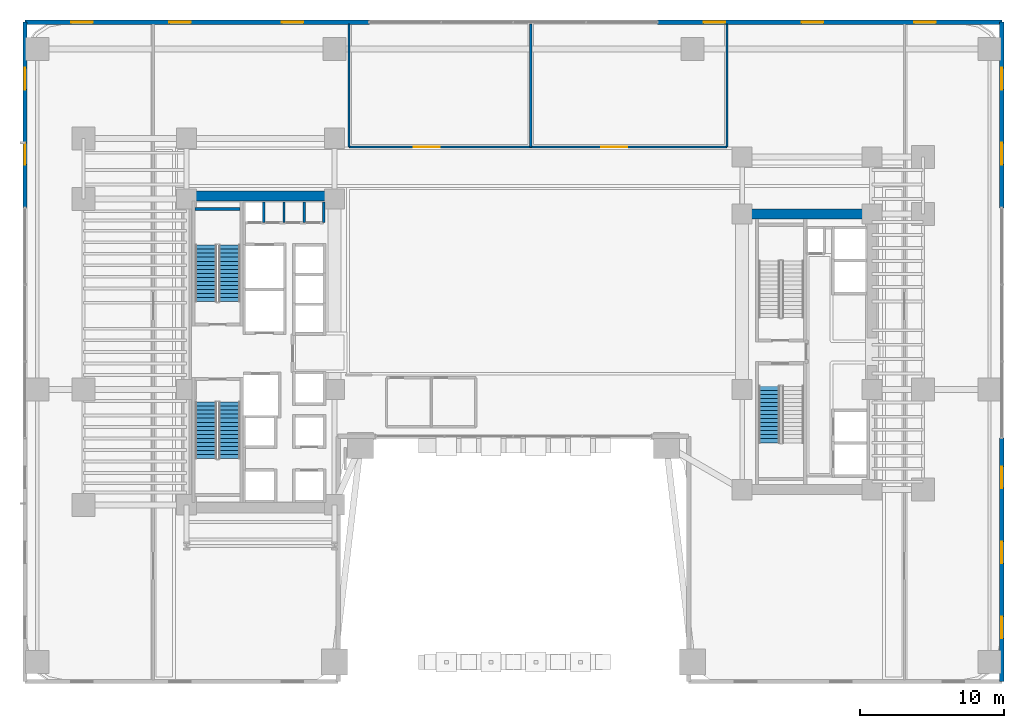
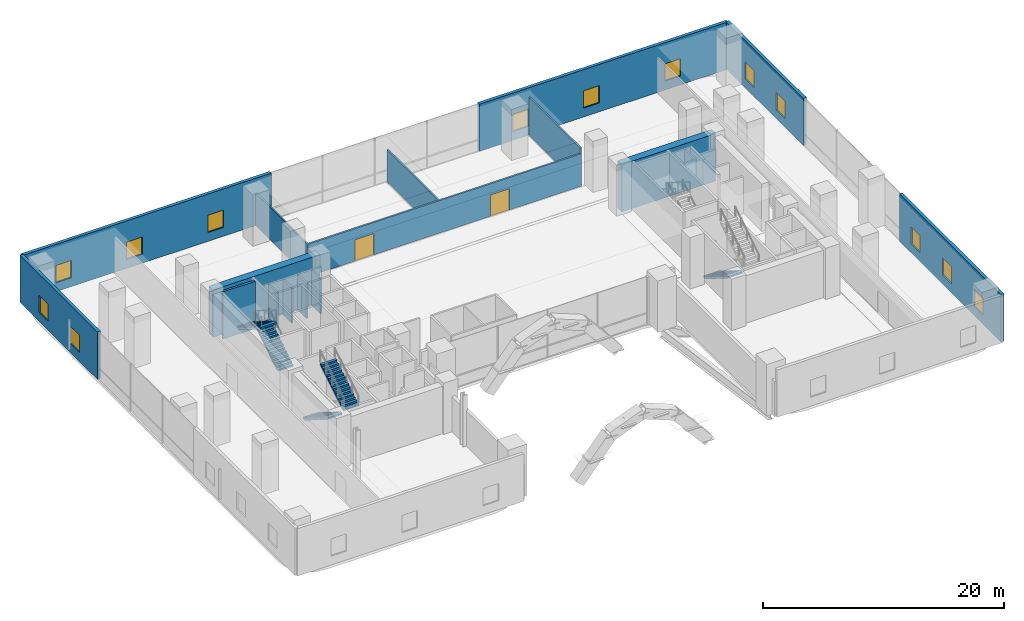
# One storey, part 29 of 39: 16 walls, 13 windows, 5 stair flights, 2 doors, 15 openings, 3 elements without a shape of their own.
"""IFC4 building model written with IfcOpenShell, lengths in metres."""

from ifc_helpers import new_model, si_unit, direction, frame, frame_2d, origin, place, context, subcontext, project, spatial, polyline, rectangle, outline, extrude, material, layer, layer_set, type_object, element, fill, aggregate, save


model = new_model("IFC4")

# Units and contexts
model_context = context("Model", 3, precision=1e-05, world=origin(), true_north=direction((0.0, 1.0)))
body_context = subcontext(model_context, "Body", "Model", "MODEL_VIEW")
ifc_project = project(units=[si_unit("LENGTHUNIT", "METRE"), si_unit("AREAUNIT", "SQUARE_METRE"), si_unit("VOLUMEUNIT", "CUBIC_METRE"), si_unit("PLANEANGLEUNIT", "RADIAN"), si_unit("MASSUNIT", "GRAM", prefix="KILO")], contexts=[model_context])

# Site, building, storey
site_placement = place(None, origin())
site = spatial("IfcSite", under=ifc_project, at=site_placement, CompositionType="ELEMENT")
building_placement = place(site_placement, origin())
building = spatial("IfcBuilding", under=site, at=building_placement, Name="Valdorenza Pilgrim Sanctuary Tower", CompositionType="ELEMENT")
storey_placement = place(building_placement, frame((0.0, 0.0, 15.60009765625)))
storey = spatial("IfcBuildingStorey", under=building, at=storey_placement, Name="L03", CompositionType="ELEMENT", Elevation=15.60009765625)

# Walls
ifc_material_1 = material(Name="Acoustic twin-stud gypsum partition", Category="gypsum")
ifc_layer_1 = layer(ifc_material_1, 0.159912109375, Name="Acoustic twin-stud gypsum partition")
ifc_layer_set_1 = layer_set([ifc_layer_1], Name="Acoustic twin-stud gypsum partition")
wall_type_1 = type_object("IfcWallType", Name="WAL-COR-160", PredefinedType="PARTITIONING", material=ifc_layer_set_1)
for number, where, z_axis, x_axis, name in (
    (1, (-13.14990234375, 8.949951171875, 0.0), (0.0, 0.0, 1.0), (0.0, 1.0, 0.0), "L03 Core A North Service East Wall"),
    (2, (-17.300048828125, 8.949951171875, 0.0), (0.0, 0.0, 1.0), (0.0, 1.0, 0.0), "L03 Core Electrical Riser Wall"),
    (3, (-15.89990234375, 8.949951171875, 0.0), (0.0, 0.0, 1.0), (0.0, 1.0, 0.0), "L03 Core A Split D1"),
    (4, (-14.5, 8.949951171875, 0.0), (0.0, 0.0, 1.0), (0.0, 1.0, 0.0), "L03 Core A Split D2"),
):
    element("IfcWall", number, at=place(storey_placement, frame(where, z_axis=z_axis, x_axis=x_axis)), inside=storey, type_object=wall_type_1, Name=name, PredefinedType="PARTITIONING", context=body_context, shape_type="SweptSolid", body=[
        extrude(rectangle(XDim=1.429931640625, YDim=0.159912109375, at=frame_2d((0.71484375, 0.0))), origin(), (0.0, 0.0, 1.0), 3.5849609375),
    ])

# Wall, openings, doors
wall_1_placement = place(storey_placement, frame((-11.39990234375, 14.199951171875, 0.0), z_axis=(0.0, 0.0, 1.0), x_axis=(1.0, 0.0, 0.0)))
wall_1 = element("IfcWall", 5, at=wall_1_placement, inside=storey, type_object=wall_type_1, Name="L03 L03 North Hall Wall", PredefinedType="PARTITIONING", context=body_context, shape_type="SweptSolid", body=[
    extrude(rectangle(XDim=26.199951171875, YDim=0.159912109375, at=frame_2d((13.10009765625, 0.0))), origin(), (0.0, 0.0, 1.0), 3.284912109375),
])
opening_1_placement = place(wall_1_placement, frame((4.5, 0.0, 0.0)))
opening_1 = element("IfcOpeningElement", 6, at=opening_1_placement, cuts=wall_1, Name="Opening DR-HL1", PredefinedType="OPENING", context=body_context, shape_type="SweptSolid", body=[
    extrude(rectangle(XDim=1.800048828125, YDim=2.14990234375, at=frame_2d((0.89990234375, 1.074951171875))), frame((0.0, 0.0947265625, 0.0), z_axis=(0.0, -1.0, 0.0), x_axis=(1.0, 0.0, 0.0)), (0.0, 0.0, 1.0), 0.189697265625),
])
opening_2_placement = place(wall_1_placement, frame((17.5, 0.0, 0.0)))
opening_2 = element("IfcOpeningElement", 7, at=opening_2_placement, cuts=wall_1, Name="Opening DR-HL1", PredefinedType="OPENING", context=body_context, shape_type="SweptSolid", body=[
    extrude(rectangle(XDim=1.800048828125, YDim=2.14990234375, at=frame_2d((0.89990234375, 1.074951171875))), frame((0.0, 0.0947265625, 0.0), z_axis=(0.0, -1.0, 0.0), x_axis=(1.0, 0.0, 0.0)), (0.0, 0.0, 1.0), 0.189697265625),
])
ifc_material_2 = material(Name="Acoustic oak and vision-glass double door", Category="glass")
door_type = type_object("IfcDoorType", Name="DR-HALL-1800", OperationType="NOTDEFINED", PredefinedType="DOOR", material=ifc_material_2)
door_1_placement = place(opening_1_placement, frame((1.800048828125, 0.0, 0.0), z_axis=(0.0, 0.0, 1.0), x_axis=(-1.0, 0.0, 0.0)))
door_1 = element("IfcDoor", 8, at=door_1_placement, inside=storey, type_object=door_type, Name="L03 Sacred Tapestry Archive Double Door", OperationType="DOUBLE_DOOR_SINGLE_SWING", OverallHeight=2.14990234375, OverallWidth=1.800048828125, PredefinedType="DOOR", context=body_context, shape_type="SweptSolid", body=[
    extrude(rectangle(XDim=1.800048828125, YDim=2.14990234375, at=frame_2d((0.89990234375, 1.074951171875))), frame((0.0, 0.02490234375, 0.0), z_axis=(0.0, -1.0, 0.0), x_axis=(1.0, 0.0, 0.0)), (0.0, 0.0, 1.0), 0.050048828125),
])
fill(opening_1, door_1)
door_2_placement = place(opening_2_placement, origin())
door_2 = element("IfcDoor", 9, at=door_2_placement, inside=storey, type_object=door_type, Name="L03 Curator Research Office Double Door", OperationType="DOUBLE_DOOR_SINGLE_SWING", OverallHeight=2.14990234375, OverallWidth=1.800048828125, PredefinedType="DOOR", context=body_context, shape_type="SweptSolid", body=[
    extrude(rectangle(XDim=1.800048828125, YDim=2.14990234375, at=frame_2d((0.89990234375, 1.074951171875))), frame((0.0, 0.02490234375, 0.0), z_axis=(0.0, -1.0, 0.0), x_axis=(1.0, 0.0, 0.0)), (0.0, 0.0, 1.0), 0.050048828125),
])
fill(opening_2, door_2)

# Walls
wall_2_placement = place(storey_placement, frame((-11.39990234375, 14.199951171875, 0.0), z_axis=(0.0, 0.0, 1.0), x_axis=(0.0, 1.0, 0.0)))
element("IfcWall", 10, at=wall_2_placement, inside=storey, type_object=wall_type_1, Name="L03 L03 North Hall West Wall", PredefinedType="PARTITIONING", context=body_context, shape_type="SweptSolid", body=[
    extrude(rectangle(XDim=8.5400390625, YDim=0.159912109375, at=frame_2d((4.27001953125, 0.0))), origin(), (0.0, 0.0, 1.0), 3.284912109375),
])
wall_3_placement = place(storey_placement, frame((14.800048828125, 14.199951171875, 0.0), z_axis=(0.0, 0.0, 1.0), x_axis=(0.0, 1.0, 0.0)))
element("IfcWall", 11, at=wall_3_placement, inside=storey, type_object=wall_type_1, Name="L03 L03 North Hall East Wall", PredefinedType="PARTITIONING", context=body_context, shape_type="SweptSolid", body=[
    extrude(rectangle(XDim=8.5400390625, YDim=0.159912109375, at=frame_2d((4.27001953125, 0.0))), origin(), (0.0, 0.0, 1.0), 3.8369140625),
])
ifc_material_3 = material(Name="Concrete C60/75", Category="concrete")
ifc_layer_2 = layer(ifc_material_3, 0.699951171875, Name="Concrete C60/75")
ifc_layer_set_2 = layer_set([ifc_layer_2], Name="Concrete C60/75")
wall_type_2 = type_object("IfcWallType", Name="WAL-COR-700", PredefinedType="SHEAR", material=ifc_layer_set_2)
wall_4_placement = place(storey_placement, frame((-22.64990234375, 10.800048828125, 0.0), z_axis=(0.0, 0.0, 1.0), x_axis=(1.0, 0.0, 0.0)))
element("IfcWall", 12, at=wall_4_placement, inside=storey, type_object=wall_type_2, Name="L03 Split Core A Shear Wall N", PredefinedType="SHEAR", context=body_context, shape_type="SweptSolid", body=[
    extrude(rectangle(XDim=10.25, YDim=0.699951171875, at=frame_2d((5.125, 0.0))), origin(), (0.0, 0.0, 1.0), 4.7998046875),
])
wall_5_placement = place(storey_placement, frame((15.85009765625, 9.550048828125, 0.0), z_axis=(0.0, 0.0, 1.0), x_axis=(1.0, 0.0, 0.0)))
element("IfcWall", 13, at=wall_5_placement, inside=storey, type_object=wall_type_2, Name="L03 Split Core B Shear Wall N", PredefinedType="SHEAR", context=body_context, shape_type="SweptSolid", body=[
    extrude(rectangle(XDim=9.0, YDim=0.699951171875, at=frame_2d((4.5, 0.0))), origin(), (0.0, 0.0, 1.0), 4.7998046875),
])

# Wall, openings, windows
ifc_material_4 = material(Name="Honed travertine limestone", Category="masonry")
ifc_layer_3 = layer(ifc_material_4, 0.300048828125, Name="Honed travertine limestone")
ifc_layer_set_3 = layer_set([ifc_layer_3], Name="Honed travertine limestone")
wall_type_3 = type_object("IfcWallType", Name="WAL-EXT-300", PredefinedType="SOLIDWALL", material=ifc_layer_set_3)
wall_6_placement = place(storey_placement, frame((-33.85009765625, 9.97998046875, 0.0), z_axis=(0.0, 0.0, 1.0), x_axis=(0.0, 1.0, 0.0)))
wall_6 = element("IfcWall", 14, at=wall_6_placement, inside=storey, type_object=wall_type_3, Name="L03 Podium Honed Travertine Stone Wall W-N", PredefinedType="SOLIDWALL", context=body_context, shape_type="SweptSolid", body=[
    extrude(rectangle(XDim=12.8701171875, YDim=0.300048828125, at=frame_2d((6.43505859375, 0.0))), origin(), (0.0, 0.0, 1.0), 4.7998046875),
])
opening_3_placement = place(wall_6_placement, frame((3.0, 0.0, 0.89990234375)))
opening_3 = element("IfcOpeningElement", 15, at=opening_3_placement, cuts=wall_6, Name="Opening WN-VS1", PredefinedType="OPENING", context=body_context, shape_type="SweptSolid", body=[
    extrude(rectangle(XDim=1.5, YDim=1.75, at=frame_2d((0.75, 0.875))), frame((0.0, 0.1650390625, 0.0), z_axis=(0.0, -1.0, 0.0), x_axis=(1.0, 0.0, 0.0)), (0.0, 0.0, 1.0), 0.329833984375),
])
opening_4_placement = place(wall_6_placement, frame((8.199951171875, 0.0, 0.89990234375)))
opening_4 = element("IfcOpeningElement", 16, at=opening_4_placement, cuts=wall_6, Name="Opening WN-VS1", PredefinedType="OPENING", context=body_context, shape_type="SweptSolid", body=[
    extrude(rectangle(XDim=1.5, YDim=1.75, at=frame_2d((0.75, 0.875))), frame((0.0, 0.1650390625, 0.0), z_axis=(0.0, -1.0, 0.0), x_axis=(1.0, 0.0, 0.0)), (0.0, 0.0, 1.0), 0.329833984375),
])
ifc_material_5 = material(Name="Ceramic-fritted low-E IGU glazing", Category="glass")
window_type = type_object("IfcWindowType", Name="WIN-VIS-1500", PartitioningType="SINGLE_PANEL", PredefinedType="WINDOW", material=ifc_material_5)
window_1_placement = place(opening_3_placement, origin())
window_1 = element("IfcWindow", 17, at=window_1_placement, inside=storey, type_object=window_type, Name="L03 Podium Stone Vision Window W-N-1", OverallHeight=1.75, OverallWidth=1.5, PartitioningType="SINGLE_PANEL", PredefinedType="WINDOW", context=body_context, shape_type="SweptSolid", body=[
    extrude(rectangle(XDim=1.5, YDim=1.75, at=frame_2d((0.75, 0.875))), frame((0.0, 0.030029296875, 0.0), z_axis=(0.0, -1.0, 0.0), x_axis=(1.0, 0.0, 0.0)), (0.0, 0.0, 1.0), 0.06005859375),
])
fill(opening_3, window_1)
window_2_placement = place(opening_4_placement, origin())
window_2 = element("IfcWindow", 18, at=window_2_placement, inside=storey, type_object=window_type, Name="L03 Podium Stone Vision Window W-N-2", OverallHeight=1.75, OverallWidth=1.5, PartitioningType="SINGLE_PANEL", PredefinedType="WINDOW", context=body_context, shape_type="SweptSolid", body=[
    extrude(rectangle(XDim=1.5, YDim=1.75, at=frame_2d((0.75, 0.875))), frame((0.0, 0.030029296875, 0.0), z_axis=(0.0, -1.0, 0.0), x_axis=(1.0, 0.0, 0.0)), (0.0, 0.0, 1.0), 0.06005859375),
])
fill(opening_4, window_2)

wall_7_placement = place(storey_placement, frame((33.85009765625, -22.85009765625, 0.0), z_axis=(0.0, 0.0, 1.0), x_axis=(0.0, 1.0, 0.0)))
wall_7 = element("IfcWall", 19, at=wall_7_placement, inside=storey, type_object=wall_type_3, Name="L03 Podium Honed Travertine Stone Wall E-S", PredefinedType="SOLIDWALL", context=body_context, shape_type="SweptSolid", body=[
    extrude(rectangle(XDim=16.8701171875, YDim=0.300048828125, at=frame_2d((8.43505859375, 0.0))), origin(), (0.0, 0.0, 1.0), 4.7998046875),
])
opening_5_placement = place(wall_7_placement, frame((3.0, 0.0, 0.89990234375)))
opening_5 = element("IfcOpeningElement", 20, at=opening_5_placement, cuts=wall_7, Name="Opening WN-VS1", PredefinedType="OPENING", context=body_context, shape_type="SweptSolid", body=[
    extrude(rectangle(XDim=1.5, YDim=1.75, at=frame_2d((0.75, 0.875))), frame((0.0, 0.1650390625, 0.0), z_axis=(0.0, -1.0, 0.0), x_axis=(1.0, 0.0, 0.0)), (0.0, 0.0, 1.0), 0.329833984375),
])
opening_6_placement = place(wall_7_placement, frame((8.199951171875, 0.0, 0.89990234375)))
opening_6 = element("IfcOpeningElement", 21, at=opening_6_placement, cuts=wall_7, Name="Opening WN-VS1", PredefinedType="OPENING", context=body_context, shape_type="SweptSolid", body=[
    extrude(rectangle(XDim=1.5, YDim=1.75, at=frame_2d((0.75, 0.875))), frame((0.0, 0.1650390625, 0.0), z_axis=(0.0, -1.0, 0.0), x_axis=(1.0, 0.0, 0.0)), (0.0, 0.0, 1.0), 0.329833984375),
])
opening_7_placement = place(wall_7_placement, frame((13.39990234375, 0.0, 0.89990234375)))
opening_7 = element("IfcOpeningElement", 22, at=opening_7_placement, cuts=wall_7, Name="Opening WN-VS1", PredefinedType="OPENING", context=body_context, shape_type="SweptSolid", body=[
    extrude(rectangle(XDim=1.5, YDim=1.75, at=frame_2d((0.75, 0.875))), frame((0.0, 0.1650390625, 0.0), z_axis=(0.0, -1.0, 0.0), x_axis=(1.0, 0.0, 0.0)), (0.0, 0.0, 1.0), 0.329833984375),
])
window_3_placement = place(opening_5_placement, origin())
window_3 = element("IfcWindow", 23, at=window_3_placement, inside=storey, type_object=window_type, Name="L03 Podium Stone Vision Window E-S-1", OverallHeight=1.75, OverallWidth=1.5, PartitioningType="SINGLE_PANEL", PredefinedType="WINDOW", context=body_context, shape_type="SweptSolid", body=[
    extrude(rectangle(XDim=1.5, YDim=1.75, at=frame_2d((0.75, 0.875))), frame((0.0, 0.030029296875, 0.0), z_axis=(0.0, -1.0, 0.0), x_axis=(1.0, 0.0, 0.0)), (0.0, 0.0, 1.0), 0.06005859375),
])
fill(opening_5, window_3)
window_4_placement = place(opening_6_placement, origin())
window_4 = element("IfcWindow", 24, at=window_4_placement, inside=storey, type_object=window_type, Name="L03 Podium Stone Vision Window E-S-2", OverallHeight=1.75, OverallWidth=1.5, PartitioningType="SINGLE_PANEL", PredefinedType="WINDOW", context=body_context, shape_type="SweptSolid", body=[
    extrude(rectangle(XDim=1.5, YDim=1.75, at=frame_2d((0.75, 0.875))), frame((0.0, 0.030029296875, 0.0), z_axis=(0.0, -1.0, 0.0), x_axis=(1.0, 0.0, 0.0)), (0.0, 0.0, 1.0), 0.06005859375),
])
fill(opening_6, window_4)
window_5_placement = place(opening_7_placement, origin())
window_5 = element("IfcWindow", 25, at=window_5_placement, inside=storey, type_object=window_type, Name="L03 Podium Stone Vision Window E-S-3", OverallHeight=1.75, OverallWidth=1.5, PartitioningType="SINGLE_PANEL", PredefinedType="WINDOW", context=body_context, shape_type="SweptSolid", body=[
    extrude(rectangle(XDim=1.5, YDim=1.75, at=frame_2d((0.75, 0.875))), frame((0.0, 0.030029296875, 0.0), z_axis=(0.0, -1.0, 0.0), x_axis=(1.0, 0.0, 0.0)), (0.0, 0.0, 1.0), 0.06005859375),
])
fill(opening_7, window_5)

wall_8_placement = place(storey_placement, frame((33.85009765625, 9.97998046875, 0.0), z_axis=(0.0, 0.0, 1.0), x_axis=(0.0, 1.0, 0.0)))
wall_8 = element("IfcWall", 26, at=wall_8_placement, inside=storey, type_object=wall_type_3, Name="L03 Podium Honed Travertine Stone Wall E-N", PredefinedType="SOLIDWALL", context=body_context, shape_type="SweptSolid", body=[
    extrude(rectangle(XDim=12.8701171875, YDim=0.300048828125, at=frame_2d((6.43505859375, 0.0))), origin(), (0.0, 0.0, 1.0), 4.7998046875),
])
opening_8_placement = place(wall_8_placement, frame((3.0, 0.0, 0.89990234375)))
opening_8 = element("IfcOpeningElement", 27, at=opening_8_placement, cuts=wall_8, Name="Opening WN-VS1", PredefinedType="OPENING", context=body_context, shape_type="SweptSolid", body=[
    extrude(rectangle(XDim=1.5, YDim=1.75, at=frame_2d((0.75, 0.875))), frame((0.0, 0.1650390625, 0.0), z_axis=(0.0, -1.0, 0.0), x_axis=(1.0, 0.0, 0.0)), (0.0, 0.0, 1.0), 0.329833984375),
])
opening_9_placement = place(wall_8_placement, frame((8.199951171875, 0.0, 0.89990234375)))
opening_9 = element("IfcOpeningElement", 28, at=opening_9_placement, cuts=wall_8, Name="Opening WN-VS1", PredefinedType="OPENING", context=body_context, shape_type="SweptSolid", body=[
    extrude(rectangle(XDim=1.5, YDim=1.75, at=frame_2d((0.75, 0.875))), frame((0.0, 0.1650390625, 0.0), z_axis=(0.0, -1.0, 0.0), x_axis=(1.0, 0.0, 0.0)), (0.0, 0.0, 1.0), 0.329833984375),
])
window_6_placement = place(opening_8_placement, origin())
window_6 = element("IfcWindow", 29, at=window_6_placement, inside=storey, type_object=window_type, Name="L03 Podium Stone Vision Window E-N-1", OverallHeight=1.75, OverallWidth=1.5, PartitioningType="SINGLE_PANEL", PredefinedType="WINDOW", context=body_context, shape_type="SweptSolid", body=[
    extrude(rectangle(XDim=1.5, YDim=1.75, at=frame_2d((0.75, 0.875))), frame((0.0, 0.030029296875, 0.0), z_axis=(0.0, -1.0, 0.0), x_axis=(1.0, 0.0, 0.0)), (0.0, 0.0, 1.0), 0.06005859375),
])
fill(opening_8, window_6)
window_7_placement = place(opening_9_placement, origin())
window_7 = element("IfcWindow", 30, at=window_7_placement, inside=storey, type_object=window_type, Name="L03 Podium Stone Vision Window E-N-2", OverallHeight=1.75, OverallWidth=1.5, PartitioningType="SINGLE_PANEL", PredefinedType="WINDOW", context=body_context, shape_type="SweptSolid", body=[
    extrude(rectangle(XDim=1.5, YDim=1.75, at=frame_2d((0.75, 0.875))), frame((0.0, 0.030029296875, 0.0), z_axis=(0.0, -1.0, 0.0), x_axis=(1.0, 0.0, 0.0)), (0.0, 0.0, 1.0), 0.06005859375),
])
fill(opening_9, window_7)

wall_9_placement = place(storey_placement, frame((-33.85009765625, 22.85009765625, 0.0), z_axis=(0.0, 0.0, 1.0), x_axis=(1.0, 0.0, 0.0)))
wall_9 = element("IfcWall", 31, at=wall_9_placement, inside=storey, type_object=wall_type_3, Name="L03 Podium Honed Travertine Stone Wall N-W", PredefinedType="SOLIDWALL", context=body_context, shape_type="SweptSolid", body=[
    extrude(rectangle(XDim=23.8701171875, YDim=0.300048828125, at=frame_2d((11.93505859375, 0.0))), origin(), (0.0, 0.0, 1.0), 4.7998046875),
])
opening_10_placement = place(wall_9_placement, frame((3.199951171875, 0.0, 0.89990234375)))
opening_10 = element("IfcOpeningElement", 32, at=opening_10_placement, cuts=wall_9, Name="Opening WN-VS1", PredefinedType="OPENING", context=body_context, shape_type="SweptSolid", body=[
    extrude(rectangle(XDim=1.5, YDim=1.75, at=frame_2d((0.75, 0.875))), frame((0.0, 0.1650390625, 0.0), z_axis=(0.0, -1.0, 0.0), x_axis=(1.0, 0.0, 0.0)), (0.0, 0.0, 1.0), 0.329833984375),
])
opening_11_placement = place(wall_9_placement, frame((10.0, 0.0, 0.89990234375)))
opening_11 = element("IfcOpeningElement", 33, at=opening_11_placement, cuts=wall_9, Name="Opening WN-VS1", PredefinedType="OPENING", context=body_context, shape_type="SweptSolid", body=[
    extrude(rectangle(XDim=1.5, YDim=1.75, at=frame_2d((0.75, 0.875))), frame((0.0, 0.1650390625, 0.0), z_axis=(0.0, -1.0, 0.0), x_axis=(1.0, 0.0, 0.0)), (0.0, 0.0, 1.0), 0.329833984375),
])
opening_12_placement = place(wall_9_placement, frame((17.800048828125, 0.0, 0.89990234375)))
opening_12 = element("IfcOpeningElement", 34, at=opening_12_placement, cuts=wall_9, Name="Opening WN-VS1", PredefinedType="OPENING", context=body_context, shape_type="SweptSolid", body=[
    extrude(rectangle(XDim=1.5, YDim=1.75, at=frame_2d((0.75, 0.875))), frame((0.0, 0.1650390625, 0.0), z_axis=(0.0, -1.0, 0.0), x_axis=(1.0, 0.0, 0.0)), (0.0, 0.0, 1.0), 0.329833984375),
])
window_8_placement = place(opening_10_placement, origin())
window_8 = element("IfcWindow", 35, at=window_8_placement, inside=storey, type_object=window_type, Name="L03 Podium Stone Vision Window N-W-1", OverallHeight=1.75, OverallWidth=1.5, PartitioningType="SINGLE_PANEL", PredefinedType="WINDOW", context=body_context, shape_type="SweptSolid", body=[
    extrude(rectangle(XDim=1.5, YDim=1.75, at=frame_2d((0.75, 0.875))), frame((0.0, 0.030029296875, 0.0), z_axis=(0.0, -1.0, 0.0), x_axis=(1.0, 0.0, 0.0)), (0.0, 0.0, 1.0), 0.06005859375),
])
fill(opening_10, window_8)
window_9_placement = place(opening_11_placement, origin())
window_9 = element("IfcWindow", 36, at=window_9_placement, inside=storey, type_object=window_type, Name="L03 Podium Stone Vision Window N-W-2", OverallHeight=1.75, OverallWidth=1.5, PartitioningType="SINGLE_PANEL", PredefinedType="WINDOW", context=body_context, shape_type="SweptSolid", body=[
    extrude(rectangle(XDim=1.5, YDim=1.75, at=frame_2d((0.75, 0.875))), frame((0.0, 0.030029296875, 0.0), z_axis=(0.0, -1.0, 0.0), x_axis=(1.0, 0.0, 0.0)), (0.0, 0.0, 1.0), 0.06005859375),
])
fill(opening_11, window_9)
window_10_placement = place(opening_12_placement, origin())
window_10 = element("IfcWindow", 37, at=window_10_placement, inside=storey, type_object=window_type, Name="L03 Podium Stone Vision Window N-W-3", OverallHeight=1.75, OverallWidth=1.5, PartitioningType="SINGLE_PANEL", PredefinedType="WINDOW", context=body_context, shape_type="SweptSolid", body=[
    extrude(rectangle(XDim=1.5, YDim=1.75, at=frame_2d((0.75, 0.875))), frame((0.0, 0.030029296875, 0.0), z_axis=(0.0, -1.0, 0.0), x_axis=(1.0, 0.0, 0.0)), (0.0, 0.0, 1.0), 0.06005859375),
])
fill(opening_12, window_10)

wall_10_placement = place(storey_placement, frame((9.97998046875, 22.85009765625, 0.0), z_axis=(0.0, 0.0, 1.0), x_axis=(1.0, 0.0, 0.0)))
wall_10 = element("IfcWall", 38, at=wall_10_placement, inside=storey, type_object=wall_type_3, Name="L03 Podium Honed Travertine Stone Wall N-E", PredefinedType="SOLIDWALL", context=body_context, shape_type="SweptSolid", body=[
    extrude(rectangle(XDim=23.8701171875, YDim=0.300048828125, at=frame_2d((11.93505859375, 0.0))), origin(), (0.0, 0.0, 1.0), 4.7998046875),
])
opening_13_placement = place(wall_10_placement, frame((3.199951171875, 0.0, 0.89990234375)))
opening_13 = element("IfcOpeningElement", 39, at=opening_13_placement, cuts=wall_10, Name="Opening WN-VS1", PredefinedType="OPENING", context=body_context, shape_type="SweptSolid", body=[
    extrude(rectangle(XDim=1.5, YDim=1.75, at=frame_2d((0.75, 0.875))), frame((0.0, 0.1650390625, 0.0), z_axis=(0.0, -1.0, 0.0), x_axis=(1.0, 0.0, 0.0)), (0.0, 0.0, 1.0), 0.329833984375),
])
opening_14_placement = place(wall_10_placement, frame((10.0, 0.0, 0.89990234375)))
opening_14 = element("IfcOpeningElement", 40, at=opening_14_placement, cuts=wall_10, Name="Opening WN-VS1", PredefinedType="OPENING", context=body_context, shape_type="SweptSolid", body=[
    extrude(rectangle(XDim=1.5, YDim=1.75, at=frame_2d((0.75, 0.875))), frame((0.0, 0.1650390625, 0.0), z_axis=(0.0, -1.0, 0.0), x_axis=(1.0, 0.0, 0.0)), (0.0, 0.0, 1.0), 0.329833984375),
])
opening_15_placement = place(wall_10_placement, frame((17.800048828125, 0.0, 0.89990234375)))
opening_15 = element("IfcOpeningElement", 41, at=opening_15_placement, cuts=wall_10, Name="Opening WN-VS1", PredefinedType="OPENING", context=body_context, shape_type="SweptSolid", body=[
    extrude(rectangle(XDim=1.5, YDim=1.75, at=frame_2d((0.75, 0.875))), frame((0.0, 0.1650390625, 0.0), z_axis=(0.0, -1.0, 0.0), x_axis=(1.0, 0.0, 0.0)), (0.0, 0.0, 1.0), 0.329833984375),
])
window_11_placement = place(opening_13_placement, origin())
window_11 = element("IfcWindow", 42, at=window_11_placement, inside=storey, type_object=window_type, Name="L03 Podium Stone Vision Window N-E-1", OverallHeight=1.75, OverallWidth=1.5, PartitioningType="SINGLE_PANEL", PredefinedType="WINDOW", context=body_context, shape_type="SweptSolid", body=[
    extrude(rectangle(XDim=1.5, YDim=1.75, at=frame_2d((0.75, 0.875))), frame((0.0, 0.030029296875, 0.0), z_axis=(0.0, -1.0, 0.0), x_axis=(1.0, 0.0, 0.0)), (0.0, 0.0, 1.0), 0.06005859375),
])
fill(opening_13, window_11)
window_12_placement = place(opening_14_placement, origin())
window_12 = element("IfcWindow", 43, at=window_12_placement, inside=storey, type_object=window_type, Name="L03 Podium Stone Vision Window N-E-2", OverallHeight=1.75, OverallWidth=1.5, PartitioningType="SINGLE_PANEL", PredefinedType="WINDOW", context=body_context, shape_type="SweptSolid", body=[
    extrude(rectangle(XDim=1.5, YDim=1.75, at=frame_2d((0.75, 0.875))), frame((0.0, 0.030029296875, 0.0), z_axis=(0.0, -1.0, 0.0), x_axis=(1.0, 0.0, 0.0)), (0.0, 0.0, 1.0), 0.06005859375),
])
fill(opening_14, window_12)
window_13_placement = place(opening_15_placement, origin())
window_13 = element("IfcWindow", 44, at=window_13_placement, inside=storey, type_object=window_type, Name="L03 Podium Stone Vision Window N-E-3", OverallHeight=1.75, OverallWidth=1.5, PartitioningType="SINGLE_PANEL", PredefinedType="WINDOW", context=body_context, shape_type="SweptSolid", body=[
    extrude(rectangle(XDim=1.5, YDim=1.75, at=frame_2d((0.75, 0.875))), frame((0.0, 0.030029296875, 0.0), z_axis=(0.0, -1.0, 0.0), x_axis=(1.0, 0.0, 0.0)), (0.0, 0.0, 1.0), 0.06005859375),
])
fill(opening_15, window_13)

# Walls
ifc_material_6 = material(Name="Concrete C40/50", Category="concrete")
ifc_layer_4 = layer(ifc_material_6, 0.219970703125, Name="Concrete C40/50")
ifc_layer_set_4 = layer_set([ifc_layer_4], Name="Concrete C40/50")
wall_type_4 = type_object("IfcWallType", Name="WAL-STR-SHF-220", PredefinedType="SHEAR", material=ifc_layer_set_4)
wall_11_placement = place(storey_placement, frame((-22.050048828125, 9.909912109375, 0.0), z_axis=(0.0, 0.0, 1.0), x_axis=(1.0, 0.0, 0.0)))
element("IfcWall", 45, at=wall_11_placement, inside=storey, type_object=wall_type_4, Name="L03 ST-A1 Structural Stairwell Wall N", PredefinedType="SHEAR", context=body_context, shape_type="SweptSolid", body=[
    extrude(rectangle(XDim=3.110107421875, YDim=0.219970703125, at=frame_2d((1.55517578125, 0.0))), origin(), (0.0, 0.0, 1.0), 4.7998046875),
])
ifc_layer_5 = layer(ifc_material_1, 0.14990234375, Name="Acoustic twin-stud gypsum partition")
ifc_layer_set_5 = layer_set([ifc_layer_5], Name="Acoustic twin-stud gypsum partition")
wall_type_5 = type_object("IfcWallType", Name="WAL-UNT-150", PredefinedType="PARTITIONING", material=ifc_layer_set_5)
wall_12_placement = place(storey_placement, frame((1.199951171875, 14.199951171875, 0.0), z_axis=(0.0, 0.0, 1.0), x_axis=(0.0, 1.0, 0.0)))
element("IfcWall", 46, at=wall_12_placement, inside=storey, type_object=wall_type_5, Name="L03 L03 North Mid Wall", PredefinedType="PARTITIONING", context=body_context, shape_type="SweptSolid", body=[
    extrude(rectangle(XDim=8.5400390625, YDim=0.14990234375, at=frame_2d((4.27001953125, 0.0))), origin(), (0.0, 0.0, 1.0), 3.284912109375),
])

# Stair, stair flights
stair_type = type_object("IfcStairType", Name="STR-DOG-CORE", PredefinedType="HALF_TURN_STAIR", material=ifc_material_6)
stair_1_placement = place(storey_placement, origin())
stair_1 = element("IfcStair", 47, at=stair_1_placement, inside=storey, type_object=stair_type, Name="L03 ST-A1", PredefinedType="HALF_TURN_STAIR")
stair_flight_type = type_object("IfcStairFlightType", Name="STF-RC-1400", PredefinedType="STRAIGHT", material=ifc_material_6)
stair_flight_1_placement = place(storey_placement, frame((-19.679931640625, 3.47998046875, 0.0), z_axis=(0.0, 0.0, 1.0), x_axis=(0.0, 1.0, 0.0)))
stair_flight_1 = element("IfcStairFlight", 48, at=stair_flight_1_placement, type_object=stair_flight_type, Name="ST-A1 flight 1", NumberOfRisers=15, NumberOfTreads=14, PredefinedType="STRAIGHT", RiserHeight=0.173333333, TreadLength=0.28, context=body_context, shape_type="SweptSolid", body=[
    extrude(outline(polyline([(0.0, 0.0), (0.0, 0.17333984375), (0.280029296875, 0.17333984375), (0.280029296875, 0.3466796875), (0.56005859375, 0.3466796875), (0.56005859375, 0.52001953125), (0.840087890625, 0.52001953125), (0.840087890625, 0.693359375), (1.1201171875, 0.693359375), (1.1201171875, 0.86669921875), (1.39990234375, 0.86669921875), (1.39990234375, 1.0400390625), (1.679931640625, 1.0400390625), (1.679931640625, 1.21337890625), (1.9599609375, 1.21337890625), (1.9599609375, 1.38671875), (2.239990234375, 1.38671875), (2.239990234375, 1.56005859375), (2.52001953125, 1.56005859375), (2.52001953125, 1.7333984375), (2.800048828125, 1.7333984375), (2.800048828125, 1.90673828125), (3.080078125, 1.90673828125), (3.080078125, 2.080078125), (3.360107421875, 2.080078125), (3.360107421875, 2.25341796875), (3.639892578125, 2.25341796875), (3.639892578125, 2.4267578125), (3.919921875, 2.4267578125), (3.919921875, 2.60009765625), (3.919921875, 2.250244140625), (0.284912109375, 0.0), (0.0, 0.0)])), frame((0.0, 0.739990234375, 0.0), z_axis=(0.0, -1.0, 0.0), x_axis=(1.0, 0.0, 0.0)), (0.0, 0.0, 1.0), 1.47998046875),
])
stair_flight_2_placement = place(storey_placement, frame((-21.31005859375, 7.39990234375, 2.599853515625), z_axis=(0.0, 0.0, 1.0), x_axis=(0.0, -1.0, 0.0)))
stair_flight_2 = element("IfcStairFlight", 49, at=stair_flight_2_placement, type_object=stair_flight_type, Name="ST-A1 flight 2", NumberOfRisers=15, NumberOfTreads=14, PredefinedType="STRAIGHT", RiserHeight=0.173333333, TreadLength=0.28, context=body_context, shape_type="SweptSolid", body=[
    extrude(outline(polyline([(0.0, 0.0), (0.0, 0.17333984375), (0.280029296875, 0.17333984375), (0.280029296875, 0.3466796875), (0.56005859375, 0.3466796875), (0.56005859375, 0.52001953125), (0.840087890625, 0.52001953125), (0.840087890625, 0.693359375), (1.1201171875, 0.693359375), (1.1201171875, 0.86669921875), (1.39990234375, 0.86669921875), (1.39990234375, 1.0400390625), (1.679931640625, 1.0400390625), (1.679931640625, 1.21337890625), (1.9599609375, 1.21337890625), (1.9599609375, 1.38671875), (2.239990234375, 1.38671875), (2.239990234375, 1.56005859375), (2.52001953125, 1.56005859375), (2.52001953125, 1.7333984375), (2.800048828125, 1.7333984375), (2.800048828125, 1.90673828125), (3.080078125, 1.90673828125), (3.080078125, 2.080078125), (3.360107421875, 2.080078125), (3.360107421875, 2.25341796875), (3.639892578125, 2.25341796875), (3.639892578125, 2.4267578125), (3.919921875, 2.4267578125), (3.919921875, 2.60009765625), (3.919921875, 2.250244140625), (0.284912109375, 0.0), (0.0, 0.0)])), frame((0.0, 0.739990234375, 0.0), z_axis=(0.0, -1.0, 0.0), x_axis=(1.0, 0.0, 0.0)), (0.0, 0.0, 1.0), 1.47998046875),
])
aggregate(stair_1, [stair_flight_1, stair_flight_2])

stair_2_placement = place(storey_placement, origin())
stair_2 = element("IfcStair", 50, at=stair_2_placement, inside=storey, type_object=stair_type, Name="L03 ST-A2", PredefinedType="HALF_TURN_STAIR")
stair_flight_3_placement = place(storey_placement, frame((-21.31005859375, -3.47998046875, 0.0), z_axis=(0.0, 0.0, 1.0), x_axis=(0.0, -1.0, 0.0)))
stair_flight_3 = element("IfcStairFlight", 51, at=stair_flight_3_placement, type_object=stair_flight_type, Name="ST-A2 flight 1", NumberOfRisers=15, NumberOfTreads=14, PredefinedType="STRAIGHT", RiserHeight=0.173333333, TreadLength=0.28, context=body_context, shape_type="SweptSolid", body=[
    extrude(outline(polyline([(0.0, 0.0), (0.0, 0.17333984375), (0.280029296875, 0.17333984375), (0.280029296875, 0.3466796875), (0.56005859375, 0.3466796875), (0.56005859375, 0.52001953125), (0.840087890625, 0.52001953125), (0.840087890625, 0.693359375), (1.1201171875, 0.693359375), (1.1201171875, 0.86669921875), (1.39990234375, 0.86669921875), (1.39990234375, 1.0400390625), (1.679931640625, 1.0400390625), (1.679931640625, 1.21337890625), (1.9599609375, 1.21337890625), (1.9599609375, 1.38671875), (2.239990234375, 1.38671875), (2.239990234375, 1.56005859375), (2.52001953125, 1.56005859375), (2.52001953125, 1.7333984375), (2.800048828125, 1.7333984375), (2.800048828125, 1.90673828125), (3.080078125, 1.90673828125), (3.080078125, 2.080078125), (3.360107421875, 2.080078125), (3.360107421875, 2.25341796875), (3.639892578125, 2.25341796875), (3.639892578125, 2.4267578125), (3.919921875, 2.4267578125), (3.919921875, 2.60009765625), (3.919921875, 2.250244140625), (0.284912109375, 0.0), (0.0, 0.0)])), frame((0.0, 0.739990234375, 0.0), z_axis=(0.0, -1.0, 0.0), x_axis=(1.0, 0.0, 0.0)), (0.0, 0.0, 1.0), 1.47998046875),
])
stair_flight_4_placement = place(storey_placement, frame((-19.679931640625, -7.39990234375, 2.599853515625), z_axis=(0.0, 0.0, 1.0), x_axis=(0.0, 1.0, 0.0)))
stair_flight_4 = element("IfcStairFlight", 52, at=stair_flight_4_placement, type_object=stair_flight_type, Name="ST-A2 flight 2", NumberOfRisers=15, NumberOfTreads=14, PredefinedType="STRAIGHT", RiserHeight=0.173333333, TreadLength=0.28, context=body_context, shape_type="SweptSolid", body=[
    extrude(outline(polyline([(0.0, 0.0), (0.0, 0.17333984375), (0.280029296875, 0.17333984375), (0.280029296875, 0.3466796875), (0.56005859375, 0.3466796875), (0.56005859375, 0.52001953125), (0.840087890625, 0.52001953125), (0.840087890625, 0.693359375), (1.1201171875, 0.693359375), (1.1201171875, 0.86669921875), (1.39990234375, 0.86669921875), (1.39990234375, 1.0400390625), (1.679931640625, 1.0400390625), (1.679931640625, 1.21337890625), (1.9599609375, 1.21337890625), (1.9599609375, 1.38671875), (2.239990234375, 1.38671875), (2.239990234375, 1.56005859375), (2.52001953125, 1.56005859375), (2.52001953125, 1.7333984375), (2.800048828125, 1.7333984375), (2.800048828125, 1.90673828125), (3.080078125, 1.90673828125), (3.080078125, 2.080078125), (3.360107421875, 2.080078125), (3.360107421875, 2.25341796875), (3.639892578125, 2.25341796875), (3.639892578125, 2.4267578125), (3.919921875, 2.4267578125), (3.919921875, 2.60009765625), (3.919921875, 2.250244140625), (0.284912109375, 0.0), (0.0, 0.0)])), frame((0.0, 0.739990234375, 0.0), z_axis=(0.0, -1.0, 0.0), x_axis=(1.0, 0.0, 0.0)), (0.0, 0.0, 1.0), 1.47998046875),
])
aggregate(stair_2, [stair_flight_3, stair_flight_4])

# Stair, stair flight
stair_3_placement = place(storey_placement, origin())
stair_3 = element("IfcStair", 53, at=stair_3_placement, inside=storey, type_object=stair_type, Name="L03 ST-B2", PredefinedType="HALF_TURN_STAIR")
stair_flight_5_placement = place(storey_placement, frame((17.739990234375, -2.3798828125, 0.0), z_axis=(0.0, 0.0, 1.0), x_axis=(0.0, -1.0, 0.0)))
stair_flight_5 = element("IfcStairFlight", 54, at=stair_flight_5_placement, type_object=stair_flight_type, Name="ST-B2 flight 1", NumberOfRisers=15, NumberOfTreads=14, PredefinedType="STRAIGHT", RiserHeight=0.173333333, TreadLength=0.28, context=body_context, shape_type="SweptSolid", body=[
    extrude(outline(polyline([(0.0, 0.0), (0.0, 0.17333984375), (0.280029296875, 0.17333984375), (0.280029296875, 0.3466796875), (0.56005859375, 0.3466796875), (0.56005859375, 0.52001953125), (0.840087890625, 0.52001953125), (0.840087890625, 0.693359375), (1.1201171875, 0.693359375), (1.1201171875, 0.86669921875), (1.39990234375, 0.86669921875), (1.39990234375, 1.0400390625), (1.679931640625, 1.0400390625), (1.679931640625, 1.21337890625), (1.9599609375, 1.21337890625), (1.9599609375, 1.38671875), (2.239990234375, 1.38671875), (2.239990234375, 1.56005859375), (2.52001953125, 1.56005859375), (2.52001953125, 1.7333984375), (2.800048828125, 1.7333984375), (2.800048828125, 1.90673828125), (3.080078125, 1.90673828125), (3.080078125, 2.080078125), (3.360107421875, 2.080078125), (3.360107421875, 2.25341796875), (3.639892578125, 2.25341796875), (3.639892578125, 2.4267578125), (3.919921875, 2.4267578125), (3.919921875, 2.60009765625), (3.919921875, 2.250244140625), (0.284912109375, 0.0), (0.0, 0.0)])), frame((0.0, 0.739990234375, 0.0), z_axis=(0.0, -1.0, 0.0), x_axis=(1.0, 0.0, 0.0)), (0.0, 0.0, 1.0), 1.47998046875),
])
aggregate(stair_3, [stair_flight_5])

save(model, "model.ifc")
